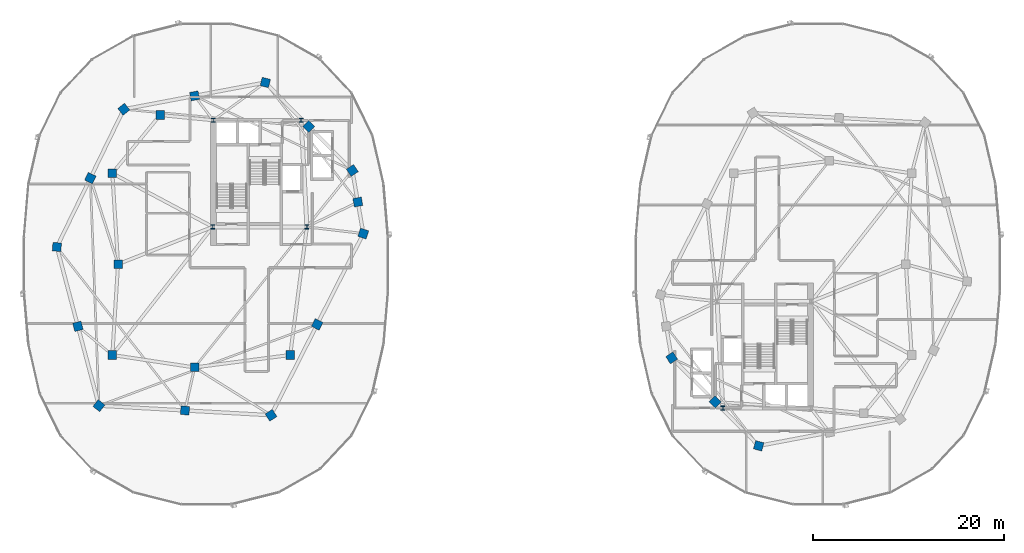
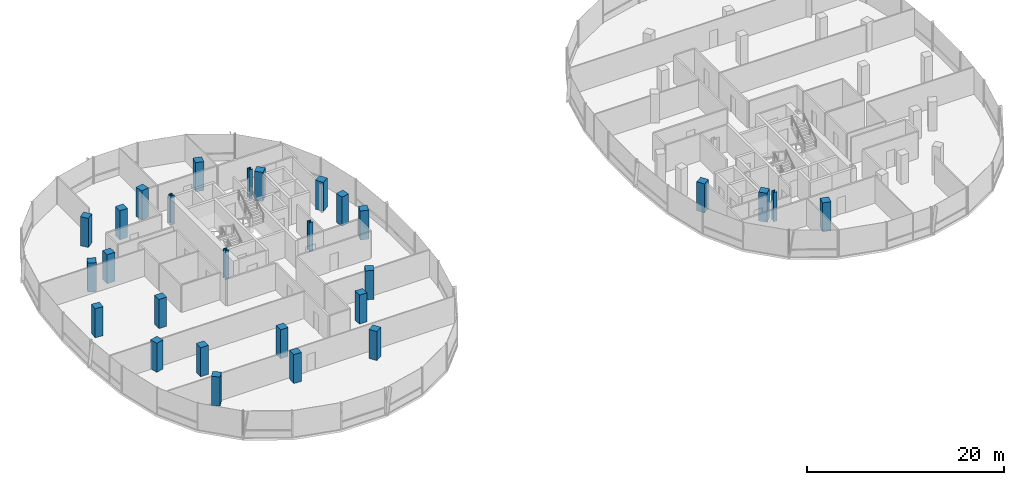
# One storey, part 1 of 25: 28 columns.
"""IFC4 building model written with IfcOpenShell, lengths in metres."""

import ifcopenshell
import ifcopenshell.guid

model = None  # the IFC model being written
_history = None  # IfcOwnerHistory: only IFC2X3 demands one
_inside = {}  # id of a spatial element -> (the spatial element, [elements in it])
_under = {}  # id of a project, library or spatial element -> (it, [spatial elements below it])
_declared = {}  # id of a project -> (the project, [libraries it declares])
_typed = {}  # id of a type object -> (the type object, [elements of that type])
_made_of = {}  # id of a material, layer set ... -> (it, [elements and type objects made of it])


def new_model(schema):
    """Start an empty IFC model of exactly this schema.

    Asked for "IFC4X3", IfcOpenShell would pick the latest addendum, in which some entities
    have other attributes; the version numbers below select the first issue.
    IFC2X3 requires an IfcOwnerHistory on every rooted entity: one is made here for all.
    """
    global model, _history
    if schema == "IFC4X3":
        model = ifcopenshell.file(schema_version=(4, 3, 0, 0))
    else:
        model = ifcopenshell.file(schema=schema)
    _inside.clear()
    _under.clear()
    _declared.clear()
    _typed.clear()
    _made_of.clear()
    _history = None
    if model.schema == "IFC2X3":
        org = make("IfcOrganization", Name="unknown")
        user = make(
            "IfcPersonAndOrganization",
            ThePerson=make("IfcPerson", FamilyName="unknown"),
            TheOrganization=org,
        )
        app = make(
            "IfcApplication",
            ApplicationDeveloper=org,
            Version="unknown",
            ApplicationFullName="unknown",
            ApplicationIdentifier="unknown",
        )
        _history = make(
            "IfcOwnerHistory",
            OwningUser=user,
            OwningApplication=app,
            ChangeAction="ADDED",
            CreationDate=0,
        )
    return model


def make(cls, **values):
    """One entity of the class cls with the attributes given. An attribute that is None is left unset."""
    return model.create_entity(
        cls, **{name: value for name, value in values.items() if value is not None}
    )


def rooted(cls, **values):
    """An entity with a GlobalId (a new one), such as an element, a storey or a relation."""
    return make(cls, GlobalId=ifcopenshell.guid.new(), OwnerHistory=_history, **values)


def si_unit(unit_type, name, prefix=None):
    """IfcSIUnit, for example si_unit("LENGTHUNIT", "METRE", prefix="MILLI")."""
    return make("IfcSIUnit", UnitType=unit_type, Prefix=prefix, Name=name)


def assignment(units):
    """IfcUnitAssignment: the units of a project."""
    return None if units is None else make("IfcUnitAssignment", Units=units)


def point(xyz):
    """IfcCartesianPoint."""
    return None if xyz is None else make("IfcCartesianPoint", Coordinates=xyz)


def direction(xyz):
    """IfcDirection."""
    return None if xyz is None else make("IfcDirection", DirectionRatios=xyz)


def frame(location, z_axis=None, x_axis=None):
    """IfcAxis2Placement3D, a coordinate frame: its origin and axes. An axis left out is left unset."""
    return make(
        "IfcAxis2Placement3D",
        Location=point(location),
        Axis=direction(z_axis),
        RefDirection=direction(x_axis),
    )


def frame_2d(location, x_axis=None):
    """IfcAxis2Placement2D, a coordinate frame in the plane: its origin and x axis."""
    return make(
        "IfcAxis2Placement2D", Location=point(location), RefDirection=direction(x_axis)
    )


def origin():
    """The frame at (0, 0, 0) with its axes left unset."""
    return frame((0.0, 0.0, 0.0))


def origin_2d():
    """The frame at (0, 0) in the plane with its x axis left unset."""
    return frame_2d((0.0, 0.0))


def place(relative_to, where):
    """IfcLocalPlacement: puts the frame where relative to a parent placement (None: the world)."""
    return make(
        "IfcLocalPlacement", PlacementRelTo=relative_to, RelativePlacement=where
    )


def context(
    kind, dimensions, precision=None, world=None, true_north=None, identifier=None
):
    """IfcGeometricRepresentationContext, for example the 3D "Model" context."""
    return make(
        "IfcGeometricRepresentationContext",
        ContextIdentifier=identifier,
        ContextType=kind,
        CoordinateSpaceDimension=dimensions,
        Precision=precision,
        WorldCoordinateSystem=world,
        TrueNorth=true_north,
    )


def subcontext(parent, identifier, kind, view, scale=None):
    """IfcGeometricRepresentationSubContext, for example "Body" below "Model"."""
    return make(
        "IfcGeometricRepresentationSubContext",
        ContextIdentifier=identifier,
        ContextType=kind,
        ParentContext=parent,
        TargetScale=scale,
        TargetView=view,
    )


def project(units=None, contexts=None):
    """IfcProject with its units and contexts."""
    return rooted(
        "IfcProject",
        Name="project",
        RepresentationContexts=contexts,
        UnitsInContext=assignment(units),
    )


def spatial(cls, under=None, at=None, **own):
    """A site, building, storey or space (cls), placed at a placement, below another one or the project."""
    s = rooted(cls, ObjectPlacement=at, **own)
    if under is not None:
        _under.setdefault(under.id(), (under, []))[1].append(s)
    return s


def profile(cls, at=None, kind="AREA", **sizes):
    """A parametric profile (cls). Its sizes go by their IFC names, for example OverallWidth=200.0."""
    return make(cls, ProfileType=kind, Position=at, **sizes)


def rectangle(**sizes):
    """IfcRectangleProfileDef."""
    return profile("IfcRectangleProfileDef", **sizes)


def i_section(**sizes):
    """IfcIShapeProfileDef."""
    return profile("IfcIShapeProfileDef", **sizes)


def extrude(swept, where, along, depth):
    """IfcExtrudedAreaSolid: the profile swept, set in the frame where, extruded along a direction by depth."""
    return make(
        "IfcExtrudedAreaSolid",
        SweptArea=swept,
        Position=where,
        ExtrudedDirection=direction(along),
        Depth=depth,
    )


def shape(context_of_items, identifier, shape_type, items):
    """IfcShapeRepresentation: the items that make up one representation, for example the "Body"."""
    return make(
        "IfcShapeRepresentation",
        ContextOfItems=context_of_items,
        RepresentationIdentifier=identifier,
        RepresentationType=shape_type,
        Items=items,
    )


def material(Name=None, Category=None):
    """IfcMaterial."""
    return make("IfcMaterial", Name=Name, Category=Category)


def material_profile(
    of_material, cross_section, Name=None, Category=None, Priority=None
):
    """IfcMaterialProfile: a cross section and its material."""
    return make(
        "IfcMaterialProfile",
        Name=Name,
        Material=of_material,
        Profile=cross_section,
        Priority=Priority,
        Category=Category,
    )


def profile_set(profiles, Name=None, composite=None):
    """IfcMaterialProfileSet."""
    return make(
        "IfcMaterialProfileSet",
        Name=Name,
        MaterialProfiles=profiles,
        CompositeProfile=composite,
    )


def made_of(thing, what):
    """Note that an element or type object is made of a material, layer set ...; save() writes the relation."""
    if what is not None:
        _made_of.setdefault(what.id(), (what, []))[1].append(thing)
    return thing


def type_object(cls, material=None, **own):
    """A type object (cls), such as IfcWallType, which elements share."""
    return made_of(rooted(cls, **own), material)


def element(
    cls,
    number,
    at=None,
    inside=None,
    cuts=None,
    type_object=None,
    material=None,
    context=None,
    identifier="Body",
    shape_type=None,
    held_by="IfcProductDefinitionShape",
    body=None,
    shapes=None,
    **own,
):
    """One element of the class cls, such as IfcWall. Its Tag is "e" and its number.

    at: its placement. inside: the storey or other place that contains it. cuts: it is an
    opening in that element (IfcRelVoidsElement). A single representation is given by context,
    identifier, shape_type and body (its items); several are given by shapes. held_by: the class
    of the entity that holds the representations. save() writes the other relations.
    """
    e = rooted(cls, Tag="e%d" % number, ObjectPlacement=at, **own)
    if body is not None:
        shapes = [shape(context, identifier, shape_type, body)]
    if shapes is not None:
        e.Representation = make(held_by, Representations=shapes)
    if inside is not None:
        _inside.setdefault(inside.id(), (inside, []))[1].append(e)
    if cuts is not None:
        rooted(
            "IfcRelVoidsElement", RelatingBuildingElement=cuts, RelatedOpeningElement=e
        )
    if type_object is not None:
        _typed.setdefault(type_object.id(), (type_object, []))[1].append(e)
    return made_of(e, material)


def aggregate(whole, parts):
    """IfcRelAggregates: a whole, such as a stair, and the parts it consists of."""
    return rooted("IfcRelAggregates", RelatingObject=whole, RelatedObjects=parts)


def save(model, path):
    """Write the relations noted so far, then the file.

    IfcRelAggregates (storeys below a building ...), IfcRelContainedInSpatialStructure (elements
    in a storey), IfcRelDefinesByType, IfcRelAssociatesMaterial and IfcRelDeclares: one each for
    every whole, place, type object, material and project.
    """
    for whole, parts in _under.values():
        aggregate(whole, parts)
    for where, things in _inside.values():
        rooted(
            "IfcRelContainedInSpatialStructure",
            RelatedElements=things,
            RelatingStructure=where,
        )
    for kind, things in _typed.values():
        rooted("IfcRelDefinesByType", RelatedObjects=things, RelatingType=kind)
    for what, things in _made_of.values():
        rooted("IfcRelAssociatesMaterial", RelatedObjects=things, RelatingMaterial=what)
    for by, libraries in _declared.values():
        rooted("IfcRelDeclares", RelatingContext=by, RelatedDefinitions=libraries)
    model.write(path)


model = new_model("IFC4")

# Units and contexts
model_context = context("Model", 3, precision=1e-05, world=origin(), true_north=direction((0.0, 1.0)))
body_context = subcontext(model_context, "Body", "Model", "MODEL_VIEW")
ifc_project = project(units=[si_unit("LENGTHUNIT", "METRE"), si_unit("AREAUNIT", "SQUARE_METRE"), si_unit("VOLUMEUNIT", "CUBIC_METRE"), si_unit("PLANEANGLEUNIT", "RADIAN"), si_unit("MASSUNIT", "GRAM", prefix="KILO"), si_unit("THERMODYNAMICTEMPERATUREUNIT", "KELVIN"), si_unit("POWERUNIT", "WATT")], contexts=[model_context])

# Site, building, storey
site_placement = place(None, origin())
site = spatial("IfcSite", under=ifc_project, at=site_placement, CompositionType="ELEMENT")
building_placement = place(site_placement, origin())
building = spatial("IfcBuilding", under=site, at=building_placement, Name="Cundina Bronze Exchange", CompositionType="ELEMENT")
storey_placement = place(building_placement, frame((0.0, 0.0, 224.199951171875)))
storey = spatial("IfcBuildingStorey", under=building, at=storey_placement, Name="L59", CompositionType="ELEMENT", Elevation=224.199951171875)

# Columns
ifc_material_1 = material(Name="Steel ASTM A992 Grade 50", Category="steel")
ifc_material_profile_1 = material_profile(ifc_material_1, i_section(OverallWidth=0.416015625, OverallDepth=0.446044921875, WebThickness=0.0390625, FlangeThickness=0.062744140625, FilletRadius=0.01806640625, at=origin_2d()), Name="W14X342", Category="steel")
ifc_profile_set_1 = profile_set([ifc_material_profile_1], Name="Steel ASTM A992 Grade 50")
column_type_1 = type_object("IfcColumnType", Name="COL-STL-W14B", PredefinedType="COLUMN", material=ifc_profile_set_1)
for number, where, z_axis, x_axis, name in (
    (1, (-31.300048828125, 3.89990234375, 0.0), (0.0, 0.0, 1.0), (1.0, 0.0, 0.0), "L59 Core Anchor Column W1"),
    (2, (-21.449951171875, 3.89990234375, 0.0), (0.0, 0.0, 1.0), (1.0, 0.0, 0.0), "L59 Core Anchor Column W2"),
    (3, (-22.050048828125, 15.050048828125, 0.0), (0.0, 0.0, 1.0), (1.0, 0.0, 0.0), "L59 Core Anchor Column W3"),
    (4, (-31.25, 15.050048828125, 0.0), (0.0, 0.0, 1.0), (1.0, 0.0, 0.0), "L59 Core Anchor Column W4"),
    (5, (22.050048828125, -15.050048828125, 0.0), (0.0, 0.0, 1.0), (1.0, 0.0, 0.0), "L59 Core Anchor Column E3"),
):
    element("IfcColumn", number, at=place(storey_placement, frame(where, z_axis=z_axis, x_axis=x_axis)), inside=storey, type_object=column_type_1, Name=name, PredefinedType="COLUMN", context=body_context, shape_type="SweptSolid", body=[
        extrude(i_section(OverallWidth=0.416015625, OverallDepth=0.446044921875, WebThickness=0.0390625, FlangeThickness=0.062744140625, FilletRadius=0.01806640625, at=origin_2d()), origin(), (0.0, 0.0, 1.0), 3.60009765625),
    ])
ifc_material_2 = material(Name="Concrete C50/60", Category="concrete")
ifc_material_profile_2 = material_profile(ifc_material_2, rectangle(XDim=0.89990234375, YDim=0.89990234375, at=origin_2d()), Name="RC900X900", Category="concrete")
ifc_profile_set_2 = profile_set([ifc_material_profile_2], Name="Concrete C50/60")
column_type_2 = type_object("IfcColumnType", Name="COL-Z4-900", PredefinedType="COLUMN", material=ifc_profile_set_2)
for number, where, z_axis, x_axis, name in (
    (6, (-41.199951171875, 0.0, 0.0), (0.0, 0.0, 1.0), (1.0, 0.0, 0.0), "L59 W Inner Ring Column 1"),
    (7, (-41.800048828125, 9.5, 0.0), (0.0, 0.0, 1.0), (1.0, 0.0, 0.0), "L59 W Inner Ring Column 2"),
    (8, (-36.800048828125, 15.60009765625, 0.0), (0.0, 0.0, 1.0), (1.0, 0.0, 0.0), "L59 W Inner Ring Column 3"),
    (9, (-41.800048828125, -9.5, 0.0), (0.0, 0.0, 1.0), (1.0, 0.0, 0.0), "L59 W Inner Ring Column 4"),
    (10, (-33.199951171875, -10.800048828125, 0.0), (0.0, 0.0, 1.0), (1.0, 0.0, 0.0), "L59 W Inner Ring Column 5"),
    (11, (-23.199951171875, -9.5, 0.0), (0.0, 0.0, 1.0), (1.0, 0.0, 0.0), "L59 W Inner Ring Column 6"),
    (12, (-15.550048828125, 3.199951171875, 0.0), (0.0, 0.0, 1.0), (0.315152163383, 0.949041155016, 0.0), "L59 W Perimeter Column 00"),
    (13, (-16.125, 6.5, 0.0), (0.0, 0.0, 1.0), (-0.171585221787, 0.985169280715, 0.0), "L59 W Perimeter Column 01"),
    (14, (-16.699951171875, 9.800048828125, 0.0), (0.0, 0.0, 1.0), (-0.544199833495, 0.838955625301, 0.0), "L59 W Perimeter Column 02"),
    (15, (-21.25, 14.39990234375, 0.0), (0.0, 0.0, 1.0), (-0.703270634186, 0.710922228581, 0.0), "L59 W Perimeter Column 03"),
    (16, (-25.800048828125, 19.0, 0.0), (0.0, 0.0, 1.0), (-0.965970984022, 0.258650455301, 0.0), "L59 W Perimeter Column 04"),
    (17, (-33.199951171875, 17.60009765625, 0.0), (0.0, 0.0, 1.0), (-0.98258037664, -0.185838110843, 0.0), "L59 W Perimeter Column 05"),
    (18, (-40.60009765625, 16.199951171875, 0.0), (0.0, 0.0, 1.0), (-0.785100778485, -0.619368038909, 0.0), "L59 W Perimeter Column 06"),
    (19, (-44.10009765625, 9.0, 0.0), (0.0, 0.0, 1.0), (-0.437115766651, -0.899405251566, 0.0), "L59 W Perimeter Column 07"),
    (20, (-47.60009765625, 1.800048828125, 0.0), (0.0, 0.0, 1.0), (-0.083503921245, -0.996507448611, 0.0), "L59 W Perimeter Column 08"),
    (21, (-45.39990234375, -6.5, 0.0), (0.0, 0.0, 1.0), (0.256289373133, -0.966600102017, 0.0), "L59 W Perimeter Column 09"),
    (22, (-43.199951171875, -14.800048828125, 0.0), (0.0, 0.0, 1.0), (0.786288432137, -0.61785961309, 0.0), "L59 W Perimeter Column 10"),
    (23, (-34.199951171875, -15.300048828125, 0.0), (0.0, 0.0, 1.0), (0.998460188734, -0.055472980025, 0.0), "L59 W Perimeter Column 11"),
    (24, (-25.199951171875, -15.800048828125, 0.0), (0.0, 0.0, 1.0), (0.838099763533, 0.545516989988, 0.0), "L59 W Perimeter Column 12"),
    (25, (-20.375, -6.300048828125, 0.0), (0.0, 0.0, 1.0), (0.452901591366, 0.891560513111, 0.0), "L59 W Perimeter Column 13"),
    (26, (16.699951171875, -9.800048828125, 0.0), (0.0, 0.0, 1.0), (0.544199833495, -0.838955625301, 0.0), "L59 E Perimeter Column 02"),
    (27, (21.25, -14.39990234375, 0.0), (0.0, 0.0, 1.0), (0.703270634186, -0.710922228581, 0.0), "L59 E Perimeter Column 03"),
    (28, (25.800048828125, -19.0, 0.0), (0.0, 0.0, 1.0), (0.965970984022, -0.258650455301, 0.0), "L59 E Perimeter Column 04"),
):
    element("IfcColumn", number, at=place(storey_placement, frame(where, z_axis=z_axis, x_axis=x_axis)), inside=storey, type_object=column_type_2, Name=name, PredefinedType="COLUMN", context=body_context, shape_type="SweptSolid", body=[
        extrude(rectangle(XDim=0.89990234375, YDim=0.89990234375, at=origin_2d()), origin(), (0.0, 0.0, 1.0), 3.60009765625),
    ])

save(model, "model.ifc")
